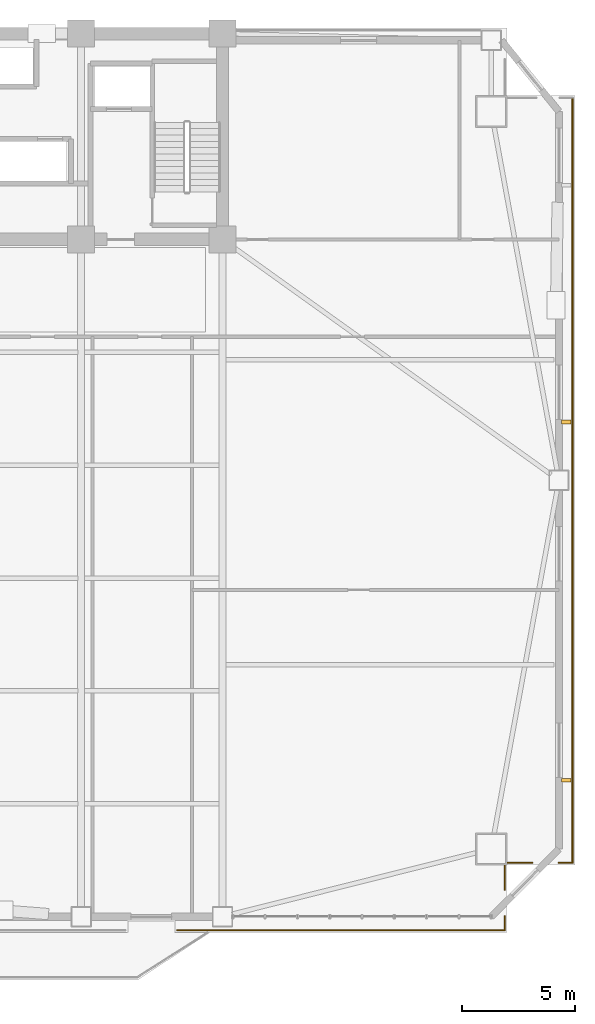
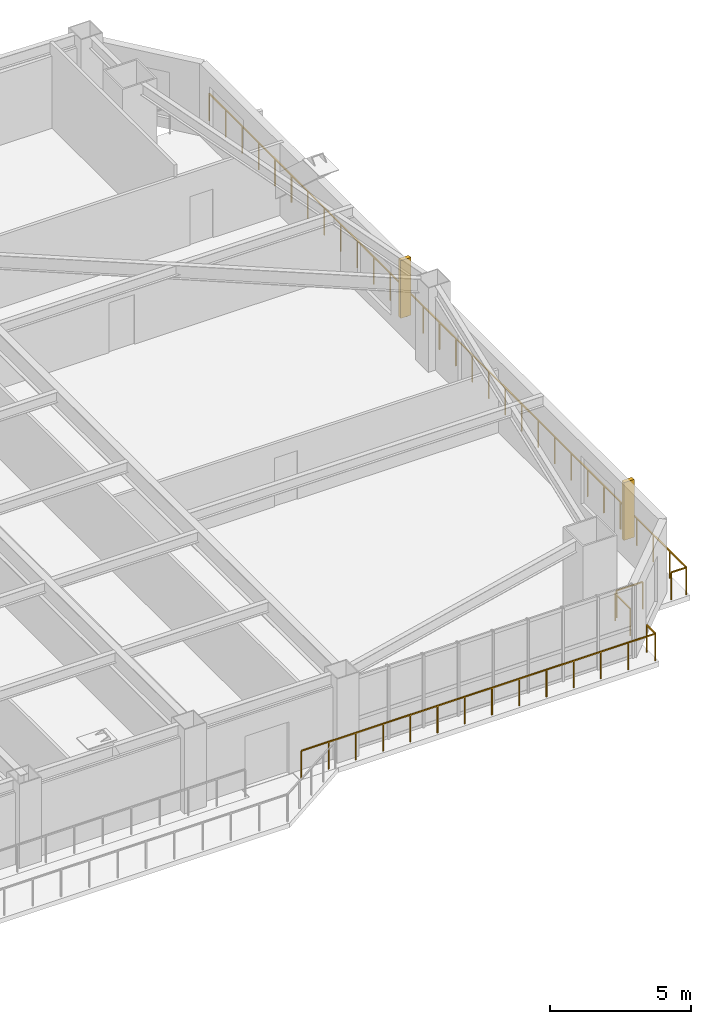
# One storey, part 13 of 15: 6 railings, 2 shading devices.
"""IFC4 building model written with IfcOpenShell, lengths in metres."""

from ifc_helpers import new_model, si_unit, direction, frame, origin, origin_2d, place, context, subcontext, project, spatial, rectangle, extrude, source, transform, mapped, material, type_object, element, save


model = new_model("IFC4")

# Units and contexts
model_context = context("Model", 3, precision=1e-05, world=origin(), true_north=direction((0.0, 1.0)))
body_context = subcontext(model_context, "Body", "Model", "MODEL_VIEW")
ifc_project = project(units=[si_unit("LENGTHUNIT", "METRE"), si_unit("AREAUNIT", "SQUARE_METRE"), si_unit("VOLUMEUNIT", "CUBIC_METRE"), si_unit("PLANEANGLEUNIT", "RADIAN"), si_unit("MASSUNIT", "GRAM", prefix="KILO")], contexts=[model_context])

# Site, building, storey
site_placement = place(None, origin())
site = spatial("IfcSite", under=ifc_project, at=site_placement, CompositionType="ELEMENT")
building_placement = place(site_placement, origin())
building = spatial("IfcBuilding", under=site, at=building_placement, Name="Giltprow Tower", CompositionType="ELEMENT")
storey_placement = place(building_placement, frame((0.0, 0.0, 127.0)))
storey = spatial("IfcBuildingStorey", under=building, at=storey_placement, Name="L31", CompositionType="ELEMENT", Elevation=127.0)

# Railings
ifc_material = material(Name="Anodized bronze", Category="metal")
railing_type = type_object("IfcRailingType", Name="RAIL-BALC-GUARD-1200", PredefinedType="BALUSTRADE", material=ifc_material)
railing_1_placement = place(storey_placement, frame((66.02099609375, 43.708984375, 0.0)))
element("IfcRailing", 1, at=railing_1_placement, inside=storey, type_object=railing_type, Name="L31 Corner Apron Edge Balustrade 14", PredefinedType="BALUSTRADE", context=body_context, shape_type="SweptSolid", body=[
    extrude(rectangle(XDim=0.048095703125, YDim=0.048095703125, at=origin_2d()), frame((0.0, 0.0, 1.17578125), z_axis=(0.0, -1.0, 0.0), x_axis=(1.0, 0.0, 0.0)), (0.0, 0.0, 1.0), 33.800048828125),
    extrude(rectangle(XDim=0.0419921875, YDim=0.0419921875, at=origin_2d()), origin(), (0.0, 0.0, 1.0), 1.15185546875),
    extrude(rectangle(XDim=0.0419921875, YDim=0.0419921875, at=origin_2d()), frame((0.0, -1.16552734375, 0.0)), (0.0, 0.0, 1.0), 1.15185546875),
    extrude(rectangle(XDim=0.0419921875, YDim=0.0419921875, at=origin_2d()), frame((0.0, -2.3310546875, 0.0)), (0.0, 0.0, 1.0), 1.15185546875),
    extrude(rectangle(XDim=0.0419921875, YDim=0.0419921875, at=origin_2d()), frame((0.0, -3.49658203125, 0.0)), (0.0, 0.0, 1.0), 1.15185546875),
    extrude(rectangle(XDim=0.0419921875, YDim=0.0419921875, at=origin_2d()), frame((0.0, -4.662109375, 0.0)), (0.0, 0.0, 1.0), 1.15185546875),
    extrude(rectangle(XDim=0.0419921875, YDim=0.0419921875, at=origin_2d()), frame((0.0, -5.82763671875, 0.0)), (0.0, 0.0, 1.0), 1.15185546875),
    extrude(rectangle(XDim=0.0419921875, YDim=0.0419921875, at=origin_2d()), frame((0.0, -6.9931640625, 0.0)), (0.0, 0.0, 1.0), 1.15185546875),
    extrude(rectangle(XDim=0.0419921875, YDim=0.0419921875, at=origin_2d()), frame((0.0, -8.15869140625, 0.0)), (0.0, 0.0, 1.0), 1.15185546875),
    extrude(rectangle(XDim=0.0419921875, YDim=0.0419921875, at=origin_2d()), frame((0.0, -9.32421875, 0.0)), (0.0, 0.0, 1.0), 1.15185546875),
    extrude(rectangle(XDim=0.0419921875, YDim=0.0419921875, at=origin_2d()), frame((0.0, -10.48974609375, 0.0)), (0.0, 0.0, 1.0), 1.15185546875),
    extrude(rectangle(XDim=0.0419921875, YDim=0.0419921875, at=origin_2d()), frame((0.0, -11.6552734375, 0.0)), (0.0, 0.0, 1.0), 1.15185546875),
    extrude(rectangle(XDim=0.0419921875, YDim=0.0419921875, at=origin_2d()), frame((0.0, -12.82080078125, 0.0)), (0.0, 0.0, 1.0), 1.15185546875),
    extrude(rectangle(XDim=0.0419921875, YDim=0.0419921875, at=origin_2d()), frame((0.0, -13.986328125, 0.0)), (0.0, 0.0, 1.0), 1.15185546875),
    extrude(rectangle(XDim=0.0419921875, YDim=0.0419921875, at=origin_2d()), frame((0.0, -15.15185546875, 0.0)), (0.0, 0.0, 1.0), 1.15185546875),
    extrude(rectangle(XDim=0.0419921875, YDim=0.0419921875, at=origin_2d()), frame((0.0, -16.3173828125, 0.0)), (0.0, 0.0, 1.0), 1.15185546875),
    extrude(rectangle(XDim=0.0419921875, YDim=0.0419921875, at=origin_2d()), frame((0.0, -17.482666015625, 0.0)), (0.0, 0.0, 1.0), 1.15185546875),
    extrude(rectangle(XDim=0.0419921875, YDim=0.0419921875, at=origin_2d()), frame((0.0, -18.648193359375, 0.0)), (0.0, 0.0, 1.0), 1.15185546875),
    extrude(rectangle(XDim=0.0419921875, YDim=0.0419921875, at=origin_2d()), frame((0.0, -19.813720703125, 0.0)), (0.0, 0.0, 1.0), 1.15185546875),
    extrude(rectangle(XDim=0.0419921875, YDim=0.0419921875, at=origin_2d()), frame((0.0, -20.979248046875, 0.0)), (0.0, 0.0, 1.0), 1.15185546875),
    extrude(rectangle(XDim=0.0419921875, YDim=0.0419921875, at=origin_2d()), frame((0.0, -22.144775390625, 0.0)), (0.0, 0.0, 1.0), 1.15185546875),
    extrude(rectangle(XDim=0.0419921875, YDim=0.0419921875, at=origin_2d()), frame((0.0, -23.310302734375, 0.0)), (0.0, 0.0, 1.0), 1.15185546875),
    extrude(rectangle(XDim=0.0419921875, YDim=0.0419921875, at=origin_2d()), frame((0.0, -24.475830078125, 0.0)), (0.0, 0.0, 1.0), 1.15185546875),
    extrude(rectangle(XDim=0.0419921875, YDim=0.0419921875, at=origin_2d()), frame((0.0, -25.641357421875, 0.0)), (0.0, 0.0, 1.0), 1.15185546875),
    extrude(rectangle(XDim=0.0419921875, YDim=0.0419921875, at=origin_2d()), frame((0.0, -26.806884765625, 0.0)), (0.0, 0.0, 1.0), 1.15185546875),
    extrude(rectangle(XDim=0.0419921875, YDim=0.0419921875, at=origin_2d()), frame((0.0, -27.972412109375, 0.0)), (0.0, 0.0, 1.0), 1.15185546875),
    extrude(rectangle(XDim=0.0419921875, YDim=0.0419921875, at=origin_2d()), frame((0.0, -29.137939453125, 0.0)), (0.0, 0.0, 1.0), 1.15185546875),
    extrude(rectangle(XDim=0.0419921875, YDim=0.0419921875, at=origin_2d()), frame((0.0, -30.303466796875, 0.0)), (0.0, 0.0, 1.0), 1.15185546875),
    extrude(rectangle(XDim=0.0419921875, YDim=0.0419921875, at=origin_2d()), frame((0.0, -31.468994140625, 0.0)), (0.0, 0.0, 1.0), 1.15185546875),
    extrude(rectangle(XDim=0.0419921875, YDim=0.0419921875, at=origin_2d()), frame((0.0, -32.634521484375, 0.0)), (0.0, 0.0, 1.0), 1.15185546875),
    extrude(rectangle(XDim=0.0419921875, YDim=0.0419921875, at=origin_2d()), frame((0.0, -33.800048828125, 0.0)), (0.0, 0.0, 1.0), 1.15185546875),
])
railing_2_placement = place(storey_placement, frame((66.02099609375, 9.908935546875, 0.0)))
element("IfcRailing", 2, at=railing_2_placement, inside=storey, type_object=railing_type, Name="L31 Corner Apron Edge Balustrade 15", PredefinedType="BALUSTRADE", context=body_context, shape_type="SweptSolid", body=[
    extrude(rectangle(XDim=0.048095703125, YDim=0.048095703125, at=origin_2d()), frame((0.0, 0.0, 1.17578125), z_axis=(-1.0, 0.0, 0.0), x_axis=(0.0, -1.0, 0.0)), (0.0, 0.0, 1.0), 0.6201171875),
    extrude(rectangle(XDim=0.0419921875, YDim=0.0419921875, at=origin_2d()), origin(), (0.0, 0.0, 1.0), 1.15185546875),
    extrude(rectangle(XDim=0.0419921875, YDim=0.0419921875, at=origin_2d()), frame((-0.6201171875, 0.0, 0.0)), (0.0, 0.0, 1.0), 1.15185546875),
])
railing_3_placement = place(storey_placement, frame((64.240966796875, 9.908935546875, 0.0)))
element("IfcRailing", 3, at=railing_3_placement, inside=storey, type_object=railing_type, Name="L31 Corner Apron Edge Balustrade 16", PredefinedType="BALUSTRADE", context=body_context, shape_type="SweptSolid", body=[
    extrude(rectangle(XDim=0.048095703125, YDim=0.048095703125, at=origin_2d()), frame((0.0, 0.0, 1.17578125), z_axis=(-1.0, 0.0, 0.0), x_axis=(0.0, -1.0, 0.0)), (0.0, 0.0, 1.0), 1.075927734375),
    extrude(rectangle(XDim=0.0419921875, YDim=0.0419921875, at=origin_2d()), origin(), (0.0, 0.0, 1.0), 1.15185546875),
    extrude(rectangle(XDim=0.0419921875, YDim=0.0419921875, at=origin_2d()), frame((-1.075927734375, 0.0, 0.0)), (0.0, 0.0, 1.0), 1.15185546875),
])
railing_4_placement = place(storey_placement, frame((63.030029296875, 9.77392578125, 0.0)))
element("IfcRailing", 4, at=railing_4_placement, inside=storey, type_object=railing_type, Name="L31 Corner Apron Edge Balustrade 17", PredefinedType="BALUSTRADE", context=body_context, shape_type="SweptSolid", body=[
    extrude(rectangle(XDim=0.048095703125, YDim=0.048095703125, at=origin_2d()), frame((0.0, 0.0, 1.17578125), z_axis=(0.0, -1.0, 0.0), x_axis=(1.0, 0.0, 0.0)), (0.0, 0.0, 1.0), 1.075927734375),
    extrude(rectangle(XDim=0.0419921875, YDim=0.0419921875, at=origin_2d()), origin(), (0.0, 0.0, 1.0), 1.15185546875),
    extrude(rectangle(XDim=0.0419921875, YDim=0.0419921875, at=origin_2d()), frame((0.0, -1.075927734375, 0.0)), (0.0, 0.0, 1.0), 1.15185546875),
])
railing_5_placement = place(storey_placement, frame((63.030029296875, 7.5380859375, 0.0)))
element("IfcRailing", 5, at=railing_5_placement, inside=storey, type_object=railing_type, Name="L31 Corner Apron Edge Balustrade 18", PredefinedType="BALUSTRADE", context=body_context, shape_type="SweptSolid", body=[
    extrude(rectangle(XDim=0.048095703125, YDim=0.048095703125, at=origin_2d()), frame((0.0, 0.0, 1.17578125), z_axis=(0.0, -1.0, 0.0), x_axis=(1.0, 0.0, 0.0)), (0.0, 0.0, 1.0), 0.6201171875),
    extrude(rectangle(XDim=0.0419921875, YDim=0.0419921875, at=origin_2d()), origin(), (0.0, 0.0, 1.0), 1.15185546875),
    extrude(rectangle(XDim=0.0419921875, YDim=0.0419921875, at=origin_2d()), frame((0.0, -0.6201171875, 0.0)), (0.0, 0.0, 1.0), 1.15185546875),
])
railing_6_placement = place(storey_placement, frame((63.030029296875, 6.91796875, 0.0)))
element("IfcRailing", 6, at=railing_6_placement, inside=storey, type_object=railing_type, Name="L31 Corner Apron Edge Balustrade 19", PredefinedType="BALUSTRADE", context=body_context, shape_type="SweptSolid", body=[
    extrude(rectangle(XDim=0.048095703125, YDim=0.048095703125, at=origin_2d()), frame((0.0, 0.0, 1.17578125), z_axis=(-1.0, 0.0, 0.0), x_axis=(0.0, -1.0, 0.0)), (0.0, 0.0, 1.0), 14.47998046875),
    extrude(rectangle(XDim=0.0419921875, YDim=0.0419921875, at=origin_2d()), origin(), (0.0, 0.0, 1.0), 1.15185546875),
    extrude(rectangle(XDim=0.0419921875, YDim=0.0419921875, at=origin_2d()), frame((-1.11376953125, 0.0, 0.0)), (0.0, 0.0, 1.0), 1.15185546875),
    extrude(rectangle(XDim=0.0419921875, YDim=0.0419921875, at=origin_2d()), frame((-2.227783203125, 0.0, 0.0)), (0.0, 0.0, 1.0), 1.15185546875),
    extrude(rectangle(XDim=0.0419921875, YDim=0.0419921875, at=origin_2d()), frame((-3.341552734375, 0.0, 0.0)), (0.0, 0.0, 1.0), 1.15185546875),
    extrude(rectangle(XDim=0.0419921875, YDim=0.0419921875, at=origin_2d()), frame((-4.455322265625, 0.0, 0.0)), (0.0, 0.0, 1.0), 1.15185546875),
    extrude(rectangle(XDim=0.0419921875, YDim=0.0419921875, at=origin_2d()), frame((-5.5693359375, 0.0, 0.0)), (0.0, 0.0, 1.0), 1.15185546875),
    extrude(rectangle(XDim=0.0419921875, YDim=0.0419921875, at=origin_2d()), frame((-6.68310546875, 0.0, 0.0)), (0.0, 0.0, 1.0), 1.15185546875),
    extrude(rectangle(XDim=0.0419921875, YDim=0.0419921875, at=origin_2d()), frame((-7.796875, 0.0, 0.0)), (0.0, 0.0, 1.0), 1.15185546875),
    extrude(rectangle(XDim=0.0419921875, YDim=0.0419921875, at=origin_2d()), frame((-8.91064453125, 0.0, 0.0)), (0.0, 0.0, 1.0), 1.15185546875),
    extrude(rectangle(XDim=0.0419921875, YDim=0.0419921875, at=origin_2d()), frame((-10.024658203125, 0.0, 0.0)), (0.0, 0.0, 1.0), 1.15185546875),
    extrude(rectangle(XDim=0.0419921875, YDim=0.0419921875, at=origin_2d()), frame((-11.138427734375, 0.0, 0.0)), (0.0, 0.0, 1.0), 1.15185546875),
    extrude(rectangle(XDim=0.0419921875, YDim=0.0419921875, at=origin_2d()), frame((-12.252197265625, 0.0, 0.0)), (0.0, 0.0, 1.0), 1.15185546875),
    extrude(rectangle(XDim=0.0419921875, YDim=0.0419921875, at=origin_2d()), frame((-13.3662109375, 0.0, 0.0)), (0.0, 0.0, 1.0), 1.15185546875),
    extrude(rectangle(XDim=0.0419921875, YDim=0.0419921875, at=origin_2d()), frame((-14.47998046875, 0.0, 0.0)), (0.0, 0.0, 1.0), 1.15185546875),
])

# Shading devices
shading_device_type = type_object("IfcShadingDeviceType", Name="SHD-FIN-420", PredefinedType="USERDEFINED", material=ifc_material)
shared_shape = source(origin(), body_context, "Body", "SweptSolid", [
    extrude(rectangle(XDim=0.419921875, YDim=0.159912109375, at=origin_2d()), origin(), (0.0, 0.0, 1.0), 2.5),
])
for number, where, z_axis, x_axis, name in (
    (7, (65.740966796875, 13.550048828125, 0.35009765625), (0.0, 0.0, 1.0), (1.0, 0.0, 0.0), "L31 E Bronze Vertical Fin 1-1"),
    (8, (65.740966796875, 29.3798828125, 0.35009765625), (0.0, 0.0, 1.0), (1.0, 0.0, 0.0), "L31 E Bronze Vertical Fin 2-1"),
):
    element("IfcShadingDevice", number, at=place(storey_placement, frame(where, z_axis=z_axis, x_axis=x_axis)), inside=storey, type_object=shading_device_type, Name=name, ObjectType="FIN", PredefinedType="USERDEFINED", context=body_context, shape_type="MappedRepresentation", body=[
        mapped(shared_shape, transform((0.0, 0.0, 0.0), x_axis=(1.0, 0.0, 0.0), y_axis=(0.0, 1.0, 0.0), z_axis=(0.0, 0.0, 1.0), scale=1.0)),
    ])

save(model, "model.ifc")
